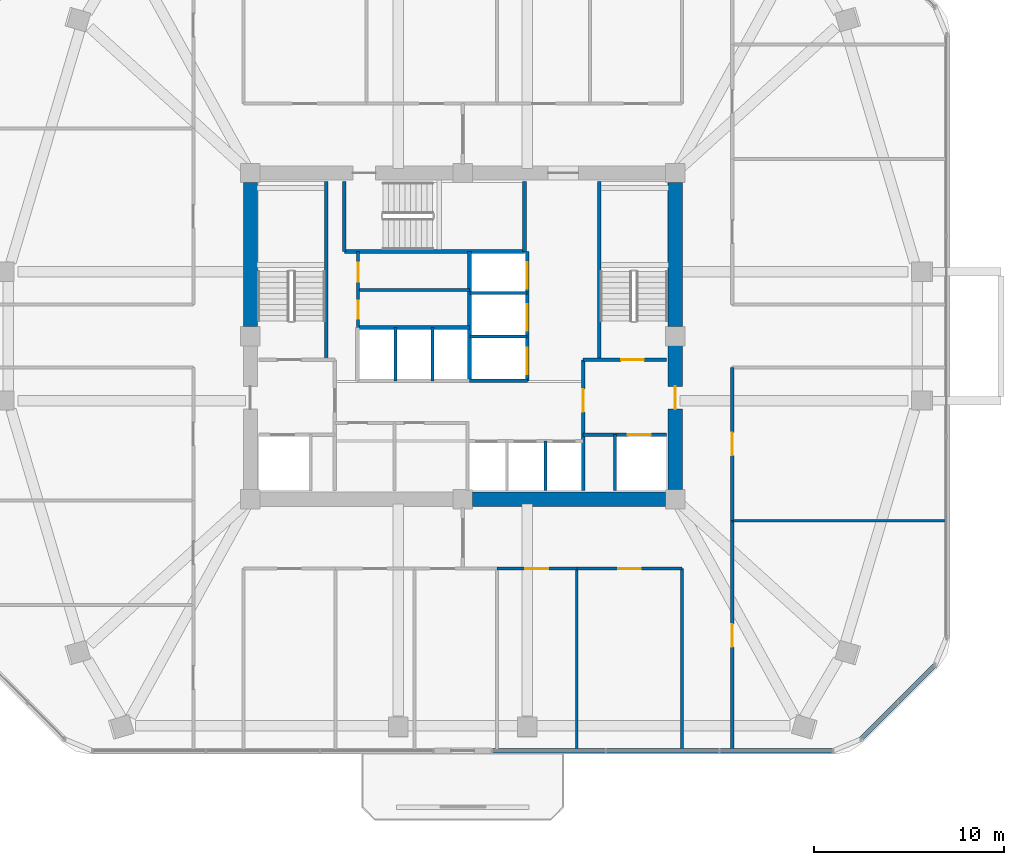
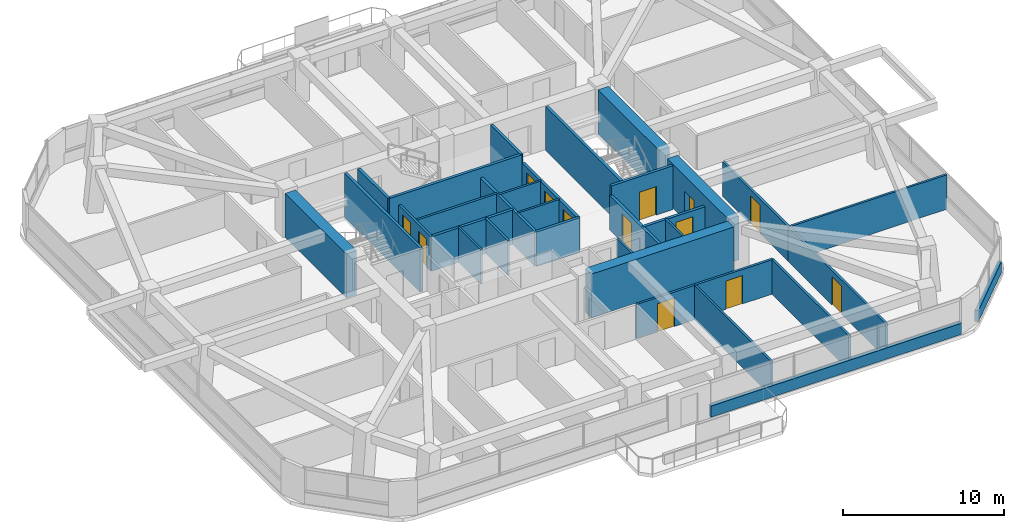
# One storey, part 9 of 13: 33 walls, 13 doors, 13 openings.
"""IFC4 building model written with IfcOpenShell, lengths in metres."""

import ifcopenshell
import ifcopenshell.guid

model = None  # the IFC model being written
_history = None  # IfcOwnerHistory: only IFC2X3 demands one
_inside = {}  # id of a spatial element -> (the spatial element, [elements in it])
_under = {}  # id of a project, library or spatial element -> (it, [spatial elements below it])
_declared = {}  # id of a project -> (the project, [libraries it declares])
_typed = {}  # id of a type object -> (the type object, [elements of that type])
_made_of = {}  # id of a material, layer set ... -> (it, [elements and type objects made of it])


def new_model(schema):
    """Start an empty IFC model of exactly this schema.

    Asked for "IFC4X3", IfcOpenShell would pick the latest addendum, in which some entities
    have other attributes; the version numbers below select the first issue.
    IFC2X3 requires an IfcOwnerHistory on every rooted entity: one is made here for all.
    """
    global model, _history
    if schema == "IFC4X3":
        model = ifcopenshell.file(schema_version=(4, 3, 0, 0))
    else:
        model = ifcopenshell.file(schema=schema)
    _inside.clear()
    _under.clear()
    _declared.clear()
    _typed.clear()
    _made_of.clear()
    _history = None
    if model.schema == "IFC2X3":
        org = make("IfcOrganization", Name="unknown")
        user = make(
            "IfcPersonAndOrganization",
            ThePerson=make("IfcPerson", FamilyName="unknown"),
            TheOrganization=org,
        )
        app = make(
            "IfcApplication",
            ApplicationDeveloper=org,
            Version="unknown",
            ApplicationFullName="unknown",
            ApplicationIdentifier="unknown",
        )
        _history = make(
            "IfcOwnerHistory",
            OwningUser=user,
            OwningApplication=app,
            ChangeAction="ADDED",
            CreationDate=0,
        )
    return model


def make(cls, **values):
    """One entity of the class cls with the attributes given. An attribute that is None is left unset."""
    return model.create_entity(
        cls, **{name: value for name, value in values.items() if value is not None}
    )


def rooted(cls, **values):
    """An entity with a GlobalId (a new one), such as an element, a storey or a relation."""
    return make(cls, GlobalId=ifcopenshell.guid.new(), OwnerHistory=_history, **values)


def si_unit(unit_type, name, prefix=None):
    """IfcSIUnit, for example si_unit("LENGTHUNIT", "METRE", prefix="MILLI")."""
    return make("IfcSIUnit", UnitType=unit_type, Prefix=prefix, Name=name)


def derived_unit(unit_type, elements):
    """IfcDerivedUnit: a product of units, each with its exponent."""
    return make(
        "IfcDerivedUnit",
        Elements=[
            make("IfcDerivedUnitElement", Unit=unit, Exponent=power)
            for unit, power in elements
        ],
        UnitType=unit_type,
    )


def assignment(units):
    """IfcUnitAssignment: the units of a project."""
    return None if units is None else make("IfcUnitAssignment", Units=units)


def point(xyz):
    """IfcCartesianPoint."""
    return None if xyz is None else make("IfcCartesianPoint", Coordinates=xyz)


def direction(xyz):
    """IfcDirection."""
    return None if xyz is None else make("IfcDirection", DirectionRatios=xyz)


def frame(location, z_axis=None, x_axis=None):
    """IfcAxis2Placement3D, a coordinate frame: its origin and axes. An axis left out is left unset."""
    return make(
        "IfcAxis2Placement3D",
        Location=point(location),
        Axis=direction(z_axis),
        RefDirection=direction(x_axis),
    )


def frame_2d(location, x_axis=None):
    """IfcAxis2Placement2D, a coordinate frame in the plane: its origin and x axis."""
    return make(
        "IfcAxis2Placement2D", Location=point(location), RefDirection=direction(x_axis)
    )


def origin():
    """The frame at (0, 0, 0) with its axes left unset."""
    return frame((0.0, 0.0, 0.0))


def place(relative_to, where):
    """IfcLocalPlacement: puts the frame where relative to a parent placement (None: the world)."""
    return make(
        "IfcLocalPlacement", PlacementRelTo=relative_to, RelativePlacement=where
    )


def context(
    kind, dimensions, precision=None, world=None, true_north=None, identifier=None
):
    """IfcGeometricRepresentationContext, for example the 3D "Model" context."""
    return make(
        "IfcGeometricRepresentationContext",
        ContextIdentifier=identifier,
        ContextType=kind,
        CoordinateSpaceDimension=dimensions,
        Precision=precision,
        WorldCoordinateSystem=world,
        TrueNorth=true_north,
    )


def subcontext(parent, identifier, kind, view, scale=None):
    """IfcGeometricRepresentationSubContext, for example "Body" below "Model"."""
    return make(
        "IfcGeometricRepresentationSubContext",
        ContextIdentifier=identifier,
        ContextType=kind,
        ParentContext=parent,
        TargetScale=scale,
        TargetView=view,
    )


def project(units=None, contexts=None):
    """IfcProject with its units and contexts."""
    return rooted(
        "IfcProject",
        Name="project",
        RepresentationContexts=contexts,
        UnitsInContext=assignment(units),
    )


def spatial(cls, under=None, at=None, **own):
    """A site, building, storey or space (cls), placed at a placement, below another one or the project."""
    s = rooted(cls, ObjectPlacement=at, **own)
    if under is not None:
        _under.setdefault(under.id(), (under, []))[1].append(s)
    return s


def profile(cls, at=None, kind="AREA", **sizes):
    """A parametric profile (cls). Its sizes go by their IFC names, for example OverallWidth=200.0."""
    return make(cls, ProfileType=kind, Position=at, **sizes)


def rectangle(**sizes):
    """IfcRectangleProfileDef."""
    return profile("IfcRectangleProfileDef", **sizes)


def extrude(swept, where, along, depth):
    """IfcExtrudedAreaSolid: the profile swept, set in the frame where, extruded along a direction by depth."""
    return make(
        "IfcExtrudedAreaSolid",
        SweptArea=swept,
        Position=where,
        ExtrudedDirection=direction(along),
        Depth=depth,
    )


def shape(context_of_items, identifier, shape_type, items):
    """IfcShapeRepresentation: the items that make up one representation, for example the "Body"."""
    return make(
        "IfcShapeRepresentation",
        ContextOfItems=context_of_items,
        RepresentationIdentifier=identifier,
        RepresentationType=shape_type,
        Items=items,
    )


def material(Name=None, Category=None):
    """IfcMaterial."""
    return make("IfcMaterial", Name=Name, Category=Category)


def layer(
    of_material, thickness, ventilated=None, Name=None, Category=None, Priority=None
):
    """IfcMaterialLayer: one layer of a wall or slab, of a material (None: an air gap)."""
    return make(
        "IfcMaterialLayer",
        Material=of_material,
        LayerThickness=thickness,
        IsVentilated=ventilated,
        Name=Name,
        Category=Category,
        Priority=Priority,
    )


def layer_set(layers, Name=None):
    """IfcMaterialLayerSet."""
    return make("IfcMaterialLayerSet", MaterialLayers=layers, LayerSetName=Name)


def made_of(thing, what):
    """Note that an element or type object is made of a material, layer set ...; save() writes the relation."""
    if what is not None:
        _made_of.setdefault(what.id(), (what, []))[1].append(thing)
    return thing


def type_object(cls, material=None, **own):
    """A type object (cls), such as IfcWallType, which elements share."""
    return made_of(rooted(cls, **own), material)


def element(
    cls,
    number,
    at=None,
    inside=None,
    cuts=None,
    type_object=None,
    material=None,
    context=None,
    identifier="Body",
    shape_type=None,
    held_by="IfcProductDefinitionShape",
    body=None,
    shapes=None,
    **own,
):
    """One element of the class cls, such as IfcWall. Its Tag is "e" and its number.

    at: its placement. inside: the storey or other place that contains it. cuts: it is an
    opening in that element (IfcRelVoidsElement). A single representation is given by context,
    identifier, shape_type and body (its items); several are given by shapes. held_by: the class
    of the entity that holds the representations. save() writes the other relations.
    """
    e = rooted(cls, Tag="e%d" % number, ObjectPlacement=at, **own)
    if body is not None:
        shapes = [shape(context, identifier, shape_type, body)]
    if shapes is not None:
        e.Representation = make(held_by, Representations=shapes)
    if inside is not None:
        _inside.setdefault(inside.id(), (inside, []))[1].append(e)
    if cuts is not None:
        rooted(
            "IfcRelVoidsElement", RelatingBuildingElement=cuts, RelatedOpeningElement=e
        )
    if type_object is not None:
        _typed.setdefault(type_object.id(), (type_object, []))[1].append(e)
    return made_of(e, material)


def fill(opening, filler):
    """IfcRelFillsElement: the door or window that sits in an opening."""
    return rooted(
        "IfcRelFillsElement",
        RelatingOpeningElement=opening,
        RelatedBuildingElement=filler,
    )


def aggregate(whole, parts):
    """IfcRelAggregates: a whole, such as a stair, and the parts it consists of."""
    return rooted("IfcRelAggregates", RelatingObject=whole, RelatedObjects=parts)


def save(model, path):
    """Write the relations noted so far, then the file.

    IfcRelAggregates (storeys below a building ...), IfcRelContainedInSpatialStructure (elements
    in a storey), IfcRelDefinesByType, IfcRelAssociatesMaterial and IfcRelDeclares: one each for
    every whole, place, type object, material and project.
    """
    for whole, parts in _under.values():
        aggregate(whole, parts)
    for where, things in _inside.values():
        rooted(
            "IfcRelContainedInSpatialStructure",
            RelatedElements=things,
            RelatingStructure=where,
        )
    for kind, things in _typed.values():
        rooted("IfcRelDefinesByType", RelatedObjects=things, RelatingType=kind)
    for what, things in _made_of.values():
        rooted("IfcRelAssociatesMaterial", RelatedObjects=things, RelatingMaterial=what)
    for by, libraries in _declared.values():
        rooted("IfcRelDeclares", RelatingContext=by, RelatedDefinitions=libraries)
    model.write(path)


model = new_model("IFC4")

# Units and contexts
model_context = context("Model", 3, precision=1e-05, world=origin(), true_north=direction((0.0, 1.0)))
body_context = subcontext(model_context, "Body", "Model", "MODEL_VIEW")
ifc_project = project(units=[si_unit("LENGTHUNIT", "METRE"), si_unit("AREAUNIT", "SQUARE_METRE"), si_unit("VOLUMEUNIT", "CUBIC_METRE"), si_unit("PLANEANGLEUNIT", "RADIAN"), si_unit("MASSUNIT", "GRAM", prefix="KILO"), derived_unit("THERMALTRANSMITTANCEUNIT", [(si_unit("POWERUNIT", "WATT"), 1), (si_unit("LENGTHUNIT", "METRE"), -2), (si_unit("THERMODYNAMICTEMPERATUREUNIT", "KELVIN"), -1)])], contexts=[model_context])

# Site, building, storey
site_placement = place(None, origin())
site = spatial("IfcSite", under=ifc_project, at=site_placement, CompositionType="ELEMENT")
building_placement = place(site_placement, origin())
building = spatial("IfcBuilding", under=site, at=building_placement, Name="Koralith Skygarden Medical Center", CompositionType="ELEMENT")
storey_placement = place(building_placement, frame((0.0, 0.0, 102.780029296875)))
storey = spatial("IfcBuildingStorey", under=building, at=storey_placement, Name="L26", CompositionType="ELEMENT", Elevation=102.780029296875)

# Walls
ifc_material_1 = material(Name="Gypsum Board Partition")
ifc_layer_1 = layer(ifc_material_1, 0.14990234375)
ifc_layer_set_1 = layer_set([ifc_layer_1], Name="Gypsum Board Partition")
wall_type_1 = type_object("IfcWallType", Name="Clinical Acoustic Partition 150", PredefinedType="PARTITIONING", material=ifc_layer_set_1)
wall_1_placement = place(storey_placement, frame((43.010986328125, 13.639892578125, 0.0), z_axis=(0.0, 0.0, 1.0), x_axis=(0.0, -1.0, 0.0)))
element("IfcWall", 1, at=wall_1_placement, inside=storey, type_object=wall_type_1, Name="L26 Clinical Acoustic Partition 150 W-PART-L26-S-04", PredefinedType="PARTITIONING", context=body_context, shape_type="SweptSolid", body=[
    extrude(rectangle(XDim=9.5859375, YDim=0.14990234375, at=frame_2d((4.79296875, 0.0))), origin(), (0.0, 0.0, 1.0), 2.60986328125),
])
wall_2_placement = place(storey_placement, frame((51.2099609375, 16.166015625, 0.0), z_axis=(0.0, 0.0, 1.0), x_axis=(1.0, 0.0, 0.0)))
element("IfcWall", 2, at=wall_2_placement, inside=storey, type_object=wall_type_1, Name="L26 Clinical Acoustic Partition 150 W-PART-L26-ES-01", PredefinedType="PARTITIONING", context=body_context, shape_type="SweptSolid", body=[
    extrude(rectangle(XDim=11.281005859375, YDim=0.14990234375, at=frame_2d((5.640625, 0.0))), origin(), (0.0, 0.0, 1.0), 2.60986328125),
])
ifc_layer_2 = layer(ifc_material_1, 0.1650390625)
ifc_layer_set_2 = layer_set([ifc_layer_2], Name="Gypsum Board Partition")
wall_type_2 = type_object("IfcWallType", Name="Clinical Corridor Partition 165", PredefinedType="PARTITIONING", material=ifc_layer_set_2)
wall_3_placement = place(storey_placement, frame((48.570068359375, 4.053955078125, 0.0), z_axis=(0.0, 0.0, 1.0), x_axis=(0.0, 1.0, 0.0)))
element("IfcWall", 3, at=wall_3_placement, inside=storey, type_object=wall_type_2, Name="L26 Clinical Corridor Partition 165 W-HCOR-L26-SE", PredefinedType="PARTITIONING", context=body_context, shape_type="SweptSolid", body=[
    extrude(rectangle(XDim=9.5859375, YDim=0.1650390625, at=frame_2d((4.79296875, 0.0))), origin(), (0.0, 0.0, 1.0), 2.60986328125),
])

# Wall, opening, door
wall_4_placement = place(storey_placement, frame((38.800048828125, 13.639892578125, 0.0), z_axis=(0.0, 0.0, 1.0), x_axis=(1.0, 0.0, 0.0)))
wall_4 = element("IfcWall", 4, at=wall_4_placement, inside=storey, type_object=wall_type_2, Name="L26 Clinical Corridor Partition 165 W-CORR-L26-S-04", PredefinedType="PARTITIONING", context=body_context, shape_type="SweptSolid", body=[
    extrude(rectangle(XDim=4.2109375, YDim=0.1650390625, at=frame_2d((2.10546875, 0.0))), origin(), (0.0, 0.0, 1.0), 2.60986328125),
])
opening_1_placement = place(wall_4_placement, frame((1.506103515625, 0.0, 0.0)))
opening_1 = element("IfcOpeningElement", 5, at=opening_1_placement, cuts=wall_4, Name="Opening D-CLN", PredefinedType="OPENING", context=body_context, shape_type="SweptSolid", body=[
    extrude(rectangle(XDim=1.199951171875, YDim=2.14990234375, at=frame_2d((0.60009765625, 1.074951171875))), frame((0.0, 0.092529296875, 0.0), z_axis=(0.0, -1.0, 0.0), x_axis=(1.0, 0.0, 0.0)), (0.0, 0.0, 1.0), 0.18505859375),
])
ifc_material_2 = material(Name="Aluminium 6063-T6", Category="aluminium")
door_type_1 = type_object("IfcDoorType", Name="Clinical Corridor Door D-CLN 1200", OperationType="NOTDEFINED", PredefinedType="DOOR", material=ifc_material_2)
door_1_placement = place(opening_1_placement, frame((1.199951171875, 0.0, 0.0), z_axis=(0.0, 0.0, 1.0), x_axis=(-1.0, 0.0, 0.0)))
door_1 = element("IfcDoor", 6, at=door_1_placement, inside=storey, type_object=door_type_1, Name="L26 Bereavement Sitting Room 08 Door", OperationType="SINGLE_SWING_LEFT", OverallHeight=2.14990234375, OverallWidth=1.199951171875, PredefinedType="DOOR", context=body_context, shape_type="SweptSolid", body=[
    extrude(rectangle(XDim=1.199951171875, YDim=2.14990234375, at=frame_2d((0.60009765625, 1.074951171875))), frame((0.0, 0.02490234375, 0.0), z_axis=(0.0, -1.0, 0.0), x_axis=(1.0, 0.0, 0.0)), (0.0, 0.0, 1.0), 0.050048828125),
])
fill(opening_1, door_1)

wall_5_placement = place(storey_placement, frame((43.010986328125, 13.639892578125, 0.0), z_axis=(0.0, 0.0, 1.0), x_axis=(1.0, 0.0, 0.0)))
wall_5 = element("IfcWall", 7, at=wall_5_placement, inside=storey, type_object=wall_type_2, Name="L26 Clinical Corridor Partition 165 W-CORR-L26-S-05", PredefinedType="PARTITIONING", context=body_context, shape_type="SweptSolid", body=[
    extrude(rectangle(XDim=5.55908203125, YDim=0.1650390625, at=frame_2d((2.779541015625, 0.0))), origin(), (0.0, 0.0, 1.0), 2.60986328125),
])
opening_2_placement = place(wall_5_placement, frame((2.178955078125, 0.0, 0.0)))
opening_2 = element("IfcOpeningElement", 8, at=opening_2_placement, cuts=wall_5, Name="Opening D-CLN", PredefinedType="OPENING", context=body_context, shape_type="SweptSolid", body=[
    extrude(rectangle(XDim=1.199951171875, YDim=2.14990234375, at=frame_2d((0.60009765625, 1.074951171875))), frame((0.0, 0.092529296875, 0.0), z_axis=(0.0, -1.0, 0.0), x_axis=(1.0, 0.0, 0.0)), (0.0, 0.0, 1.0), 0.18505859375),
])
door_2_placement = place(opening_2_placement, frame((1.199951171875, 0.0, 0.0), z_axis=(0.0, 0.0, 1.0), x_axis=(-1.0, 0.0, 0.0)))
door_2 = element("IfcDoor", 9, at=door_2_placement, inside=storey, type_object=door_type_1, Name="L26 Family Nourishment Pantry 09 Door", OperationType="SINGLE_SWING_RIGHT", OverallHeight=2.14990234375, OverallWidth=1.199951171875, PredefinedType="DOOR", context=body_context, shape_type="SweptSolid", body=[
    extrude(rectangle(XDim=1.199951171875, YDim=2.14990234375, at=frame_2d((0.60009765625, 1.074951171875))), frame((0.0, 0.02490234375, 0.0), z_axis=(0.0, -1.0, 0.0), x_axis=(1.0, 0.0, 0.0)), (0.0, 0.0, 1.0), 0.050048828125),
])
fill(opening_2, door_2)

wall_6_placement = place(storey_placement, frame((51.2099609375, 4.053955078125, 0.0), z_axis=(0.0, 0.0, 1.0), x_axis=(0.0, 1.0, 0.0)))
wall_6 = element("IfcWall", 10, at=wall_6_placement, inside=storey, type_object=wall_type_2, Name="L26 Clinical Corridor Partition 165 W-CORR-L26-ES-01", PredefinedType="PARTITIONING", context=body_context, shape_type="SweptSolid", body=[
    extrude(rectangle(XDim=12.112060546875, YDim=0.1650390625, at=frame_2d((6.05615234375, 0.0))), origin(), (0.0, 0.0, 1.0), 2.60986328125),
])
opening_3_placement = place(wall_6_placement, frame((5.4560546875, 0.0, 0.0)))
opening_3 = element("IfcOpeningElement", 11, at=opening_3_placement, cuts=wall_6, Name="Opening D-CLN", PredefinedType="OPENING", context=body_context, shape_type="SweptSolid", body=[
    extrude(rectangle(XDim=1.199951171875, YDim=2.14990234375, at=frame_2d((0.60009765625, 1.074951171875))), frame((0.0, 0.092529296875, 0.0), z_axis=(0.0, -1.0, 0.0), x_axis=(1.0, 0.0, 0.0)), (0.0, 0.0, 1.0), 0.18505859375),
])
door_3_placement = place(opening_3_placement, origin())
door_3 = element("IfcDoor", 12, at=door_3_placement, inside=storey, type_object=door_type_1, Name="L26 Palliative Quiet Family Lounge 15 Door", OperationType="SINGLE_SWING_RIGHT", OverallHeight=2.14990234375, OverallWidth=1.199951171875, PredefinedType="DOOR", context=body_context, shape_type="SweptSolid", body=[
    extrude(rectangle(XDim=1.199951171875, YDim=2.14990234375, at=frame_2d((0.60009765625, 1.074951171875))), frame((0.0, 0.02490234375, 0.0), z_axis=(0.0, -1.0, 0.0), x_axis=(1.0, 0.0, 0.0)), (0.0, 0.0, 1.0), 0.050048828125),
])
fill(opening_3, door_3)

wall_7_placement = place(storey_placement, frame((51.2099609375, 16.166015625, 0.0), z_axis=(0.0, 0.0, 1.0), x_axis=(0.0, 1.0, 0.0)))
wall_7 = element("IfcWall", 13, at=wall_7_placement, inside=storey, type_object=wall_type_2, Name="L26 Clinical Corridor Partition 165 W-CORR-L26-ES-02", PredefinedType="PARTITIONING", context=body_context, shape_type="SweptSolid", body=[
    extrude(rectangle(XDim=8.073974609375, YDim=0.1650390625, at=frame_2d((4.037109375, 0.0))), origin(), (0.0, 0.0, 1.0), 2.60986328125),
])
opening_4_placement = place(wall_7_placement, frame((3.43701171875, 0.0, 0.0)))
opening_4 = element("IfcOpeningElement", 14, at=opening_4_placement, cuts=wall_7, Name="Opening D-CLN", PredefinedType="OPENING", context=body_context, shape_type="SweptSolid", body=[
    extrude(rectangle(XDim=1.199951171875, YDim=2.14990234375, at=frame_2d((0.60009765625, 1.074951171875))), frame((0.0, 0.092529296875, 0.0), z_axis=(0.0, -1.0, 0.0), x_axis=(1.0, 0.0, 0.0)), (0.0, 0.0, 1.0), 0.18505859375),
])
door_4_placement = place(opening_4_placement, origin())
door_4 = element("IfcDoor", 15, at=door_4_placement, inside=storey, type_object=door_type_1, Name="L26 Bereavement Sitting Room 16 Door", OperationType="SINGLE_SWING_LEFT", OverallHeight=2.14990234375, OverallWidth=1.199951171875, PredefinedType="DOOR", context=body_context, shape_type="SweptSolid", body=[
    extrude(rectangle(XDim=1.199951171875, YDim=2.14990234375, at=frame_2d((0.60009765625, 1.074951171875))), frame((0.0, 0.02490234375, 0.0), z_axis=(0.0, -1.0, 0.0), x_axis=(1.0, 0.0, 0.0)), (0.0, 0.0, 1.0), 0.050048828125),
])
fill(opening_4, door_4)

ifc_layer_3 = layer(ifc_material_1, 0.199951171875)
ifc_layer_set_3 = layer_set([ifc_layer_3], Name="Gypsum Board Partition")
wall_type_3 = type_object("IfcWallType", Name="Fire Shaft Wall 200", PredefinedType="SOLIDWALL", material=ifc_layer_set_3)
wall_8_placement = place(storey_placement, frame((43.35009765625, 20.699951171875, 0.0), z_axis=(0.0, 0.0, 1.0), x_axis=(1.0, 0.0, 0.0)))
wall_8 = element("IfcWall", 16, at=wall_8_placement, inside=storey, type_object=wall_type_3, Name="L26 Fire Shaft Wall 200 W-CORE-L26-FF2-N", PredefinedType="SOLIDWALL", context=body_context, shape_type="SweptSolid", body=[
    extrude(rectangle(XDim=4.39990234375, YDim=0.199951171875, at=frame_2d((2.199951171875, 0.0))), origin(), (0.0, 0.0, 1.0), 2.60986328125),
])
opening_5_placement = place(wall_8_placement, frame((2.35009765625, 0.0, 0.0)))
opening_5 = element("IfcOpeningElement", 17, at=opening_5_placement, cuts=wall_8, Name="Opening LD-FF", PredefinedType="OPENING", context=body_context, shape_type="SweptSolid", body=[
    extrude(rectangle(XDim=1.199951171875, YDim=2.14990234375, at=frame_2d((0.60009765625, 1.074951171875))), frame((0.0, 0.10986328125, 0.0), z_axis=(0.0, -1.0, 0.0), x_axis=(1.0, 0.0, 0.0)), (0.0, 0.0, 1.0), 0.219970703125),
])
ifc_material_3 = material(Name="Steel ASTM A500 Grade C", Category="steel")
door_type_2 = type_object("IfcDoorType", Name="Fire Lift Sliding Landing Door LD-FF 1200", OperationType="NOTDEFINED", PredefinedType="DOOR", material=ifc_material_3)
door_5_placement = place(opening_5_placement, origin())
door_5 = element("IfcDoor", 18, at=door_5_placement, inside=storey, type_object=door_type_2, Name="L26 Fire Service Elevator FF2 Landing Door", OperationType="SLIDING_TO_RIGHT", OverallHeight=2.14990234375, OverallWidth=1.199951171875, PredefinedType="DOOR", context=body_context, shape_type="SweptSolid", body=[
    extrude(rectangle(XDim=1.199951171875, YDim=2.14990234375, at=frame_2d((0.60009765625, 1.074951171875))), frame((0.0, 0.02490234375, 0.0), z_axis=(0.0, -1.0, 0.0), x_axis=(1.0, 0.0, 0.0)), (0.0, 0.0, 1.0), 0.050048828125),
])
fill(opening_5, door_5)

wall_9_placement = place(storey_placement, frame((43.35009765625, 17.75, 0.0), z_axis=(0.0, 0.0, 1.0), x_axis=(0.0, 1.0, 0.0)))
wall_9 = element("IfcWall", 19, at=wall_9_placement, inside=storey, type_object=wall_type_3, Name="L26 Fire Shaft Wall 200 W-CORE-L26-FSAEE-W", PredefinedType="SOLIDWALL", context=body_context, shape_type="SweptSolid", body=[
    extrude(rectangle(XDim=6.89990234375, YDim=0.199951171875, at=frame_2d((3.449951171875, 0.0))), origin(), (0.0, 0.0, 1.0), 2.60986328125),
])
opening_6_placement = place(wall_9_placement, frame((4.14990234375, 0.0, 0.0)))
opening_6 = element("IfcOpeningElement", 20, at=opening_6_placement, cuts=wall_9, Name="Opening D-ST60", PredefinedType="OPENING", context=body_context, shape_type="SweptSolid", body=[
    extrude(rectangle(XDim=1.199951171875, YDim=2.14990234375, at=frame_2d((0.60009765625, 1.074951171875))), frame((0.0, 0.10986328125, 0.0), z_axis=(0.0, -1.0, 0.0), x_axis=(1.0, 0.0, 0.0)), (0.0, 0.0, 1.0), 0.219970703125),
])
door_type_3 = type_object("IfcDoorType", Name="Smokeproof Stair Fire Door FD60S 1200", OperationType="NOTDEFINED", PredefinedType="DOOR", material=ifc_material_3)
door_6_placement = place(opening_6_placement, frame((1.199951171875, 0.0, 0.0), z_axis=(0.0, 0.0, 1.0), x_axis=(-1.0, 0.0, 0.0)))
door_6 = element("IfcDoor", 21, at=door_6_placement, inside=storey, type_object=door_type_3, Name="L26 East Firefighting Lobby Inner Fire Door", OperationType="SINGLE_SWING_RIGHT", OverallHeight=2.14990234375, OverallWidth=1.199951171875, PredefinedType="DOOR", context=body_context, shape_type="SweptSolid", body=[
    extrude(rectangle(XDim=1.199951171875, YDim=2.14990234375, at=frame_2d((0.60009765625, 1.074951171875))), frame((0.0, 0.02490234375, 0.0), z_axis=(0.0, -1.0, 0.0), x_axis=(1.0, 0.0, 0.0)), (0.0, 0.0, 1.0), 0.050048828125),
])
fill(opening_6, door_6)

# Walls
wall_10_placement = place(storey_placement, frame((31.449951171875, 26.35009765625, 0.0), z_axis=(0.0, 0.0, 1.0), x_axis=(1.0, 0.0, 0.0)))
element("IfcWall", 22, at=wall_10_placement, inside=storey, type_object=wall_type_3, Name="L26 Fire Shaft Wall 200 W-CORE-L26-PH-N", PredefinedType="SOLIDWALL", context=body_context, shape_type="SweptSolid", body=[
    extrude(rectangle(XDim=5.900146484375, YDim=0.199951171875, at=frame_2d((2.9501953125, 0.0))), origin(), (0.0, 0.0, 1.0), 2.60986328125),
])
wall_11_placement = place(storey_placement, frame((37.35009765625, 23.5400390625, 0.0), z_axis=(0.0, 0.0, 1.0), x_axis=(0.0, 1.0, 0.0)))
element("IfcWall", 23, at=wall_11_placement, inside=storey, type_object=wall_type_3, Name="L26 Fire Shaft Wall 200 W-CORE-L26-SV-W", PredefinedType="SOLIDWALL", context=body_context, shape_type="SweptSolid", body=[
    extrude(rectangle(XDim=6.820068359375, YDim=0.199951171875, at=frame_2d((3.41015625, 0.0))), origin(), (0.0, 0.0, 1.0), 2.60986328125),
])
wall_12_placement = place(storey_placement, frame((37.35009765625, 23.5400390625, 0.0), z_axis=(0.0, 0.0, 1.0), x_axis=(1.0, 0.0, 0.0)))
element("IfcWall", 24, at=wall_12_placement, inside=storey, type_object=wall_type_3, Name="L26 Fire Shaft Wall 200 W-CORE-L26-SV-S", PredefinedType="SOLIDWALL", context=body_context, shape_type="SweptSolid", body=[
    extrude(rectangle(XDim=3.0498046875, YDim=0.199951171875, at=frame_2d((1.52490234375, 0.0))), origin(), (0.0, 0.0, 1.0), 2.60986328125),
])

# Wall, openings, doors
wall_13_placement = place(storey_placement, frame((40.39990234375, 23.5400390625, 0.0), z_axis=(0.0, 0.0, 1.0), x_axis=(0.0, 1.0, 0.0)))
wall_13 = element("IfcWall", 25, at=wall_13_placement, inside=storey, type_object=wall_type_3, Name="L26 Fire Shaft Wall 200 W-CORE-L26-SV-E", PredefinedType="SOLIDWALL", context=body_context, shape_type="SweptSolid", body=[
    extrude(rectangle(XDim=6.820068359375, YDim=0.199951171875, at=frame_2d((3.41015625, 0.0))), origin(), (0.0, 0.0, 1.0), 2.60986328125),
])
opening_7_placement = place(wall_13_placement, frame((0.35009765625, 0.0, 0.0)))
opening_7 = element("IfcOpeningElement", 26, at=opening_7_placement, cuts=wall_13, Name="Opening LD-SV", PredefinedType="OPENING", context=body_context, shape_type="SweptSolid", body=[
    extrude(rectangle(XDim=1.39990234375, YDim=2.199951171875, at=frame_2d((0.699951171875, 1.10009765625))), frame((0.0, 0.10986328125, 0.0), z_axis=(0.0, -1.0, 0.0), x_axis=(1.0, 0.0, 0.0)), (0.0, 0.0, 1.0), 0.219970703125),
])
opening_8_placement = place(wall_13_placement, frame((2.64990234375, 0.0, 0.0)))
opening_8 = element("IfcOpeningElement", 27, at=opening_8_placement, cuts=wall_13, Name="Opening LD-SV", PredefinedType="OPENING", context=body_context, shape_type="SweptSolid", body=[
    extrude(rectangle(XDim=1.39990234375, YDim=2.199951171875, at=frame_2d((0.699951171875, 1.10009765625))), frame((0.0, 0.10986328125, 0.0), z_axis=(0.0, -1.0, 0.0), x_axis=(1.0, 0.0, 0.0)), (0.0, 0.0, 1.0), 0.219970703125),
])
opening_9_placement = place(wall_13_placement, frame((4.85009765625, 0.0, 0.0)))
opening_9 = element("IfcOpeningElement", 28, at=opening_9_placement, cuts=wall_13, Name="Opening LD-SV", PredefinedType="OPENING", context=body_context, shape_type="SweptSolid", body=[
    extrude(rectangle(XDim=1.39990234375, YDim=2.199951171875, at=frame_2d((0.699951171875, 1.10009765625))), frame((0.0, 0.10986328125, 0.0), z_axis=(0.0, -1.0, 0.0), x_axis=(1.0, 0.0, 0.0)), (0.0, 0.0, 1.0), 0.219970703125),
])
door_type_4 = type_object("IfcDoorType", Name="Bed Lift Sliding Landing Door LD-SV 1400", OperationType="NOTDEFINED", PredefinedType="DOOR", material=ifc_material_3)
door_7_placement = place(opening_7_placement, origin())
door_7 = element("IfcDoor", 29, at=door_7_placement, inside=storey, type_object=door_type_4, Name="L26 Bed Elevator BD1 Landing Door", OperationType="SLIDING_TO_LEFT", OverallHeight=2.199951171875, OverallWidth=1.39990234375, PredefinedType="DOOR", context=body_context, shape_type="SweptSolid", body=[
    extrude(rectangle(XDim=1.39990234375, YDim=2.199951171875, at=frame_2d((0.699951171875, 1.10009765625))), frame((0.0, 0.02490234375, 0.0), z_axis=(0.0, -1.0, 0.0), x_axis=(1.0, 0.0, 0.0)), (0.0, 0.0, 1.0), 0.050048828125),
])
fill(opening_7, door_7)
door_8_placement = place(opening_8_placement, origin())
door_8 = element("IfcDoor", 30, at=door_8_placement, inside=storey, type_object=door_type_4, Name="L26 Service Elevator BD2 Landing Door", OperationType="SLIDING_TO_LEFT", OverallHeight=2.199951171875, OverallWidth=1.39990234375, PredefinedType="DOOR", context=body_context, shape_type="SweptSolid", body=[
    extrude(rectangle(XDim=1.39990234375, YDim=2.199951171875, at=frame_2d((0.699951171875, 1.10009765625))), frame((0.0, 0.02490234375, 0.0), z_axis=(0.0, -1.0, 0.0), x_axis=(1.0, 0.0, 0.0)), (0.0, 0.0, 1.0), 0.050048828125),
])
fill(opening_8, door_8)
door_9_placement = place(opening_9_placement, origin())
door_9 = element("IfcDoor", 31, at=door_9_placement, inside=storey, type_object=door_type_4, Name="L26 Trauma Elevator TR1 Landing Door", OperationType="SLIDING_TO_RIGHT", OverallHeight=2.199951171875, OverallWidth=1.39990234375, PredefinedType="DOOR", context=body_context, shape_type="SweptSolid", body=[
    extrude(rectangle(XDim=1.39990234375, YDim=2.199951171875, at=frame_2d((0.699951171875, 1.10009765625))), frame((0.0, 0.02490234375, 0.0), z_axis=(0.0, -1.0, 0.0), x_axis=(1.0, 0.0, 0.0)), (0.0, 0.0, 1.0), 0.050048828125),
])
fill(opening_9, door_9)

# Walls
ifc_material_4 = material(Name="Warm Oolitic Limestone Cladding", Category="masonry")
ifc_layer_4 = layer(ifc_material_4, 0.239990234375)
ifc_layer_set_4 = layer_set([ifc_layer_4], Name="Warm Oolitic Limestone Cladding")
wall_type_4 = type_object("IfcWallType", Name="Limestone Spandrel Sill Backup Wall 240", PredefinedType="SOLIDWALL", material=ifc_layer_set_4)
wall_14_placement = place(storey_placement, frame((38.5390625, 4.033935546875, 0.0), z_axis=(0.0, 0.0, 1.0), x_axis=(1.0, 0.0, 0.0)))
element("IfcWall", 32, at=wall_14_placement, inside=storey, type_object=wall_type_4, Name="L26 Sill Spandrel S-R", PredefinedType="SOLIDWALL", context=body_context, shape_type="SweptSolid", body=[
    extrude(rectangle(XDim=17.996826171875, YDim=0.239990234375, at=frame_2d((8.99853515625, 0.0))), origin(), (0.0, 0.0, 1.0), 0.849853515625),
])
wall_15_placement = place(storey_placement, frame((57.987060546875, 4.635009765625, 0.0), z_axis=(0.0, 0.0, 1.0), x_axis=(0.707084777957, 0.707128783731, 0.0)))
element("IfcWall", 33, at=wall_15_placement, inside=storey, type_object=wall_type_4, Name="L26 Sill Spandrel SE", PredefinedType="SOLIDWALL", context=body_context, shape_type="SweptSolid", body=[
    extrude(rectangle(XDim=5.5478515625, YDim=0.239990234375, at=frame_2d((2.77392578125, 0.0))), origin(), (0.0, 0.0, 1.0), 0.849853515625),
])
ifc_material_5 = material(Name="Concrete C70/85", Category="concrete")
ifc_layer_5 = layer(ifc_material_5, 0.75)
ifc_layer_set_5 = layer_set([ifc_layer_5], Name="Concrete C70/85")
wall_type_5 = type_object("IfcWallType", Name="Mid Core Shear Wall 750", PredefinedType="SHEAR", material=ifc_layer_set_5)
wall_16_placement = place(storey_placement, frame((37.5048828125, 17.300048828125, 0.0), z_axis=(0.0, 0.0, 1.0), x_axis=(1.0, 0.0, 0.0)))
element("IfcWall", 34, at=wall_16_placement, inside=storey, type_object=wall_type_5, Name="L26 Core Shear Wall Segment 2", PredefinedType="SHEAR", context=body_context, shape_type="SweptSolid", body=[
    extrude(rectangle(XDim=10.190185546875, YDim=0.75, at=frame_2d((5.09521484375, 0.0))), origin(), (0.0, 0.0, 1.0), 3.320068359375),
])

# Wall, opening, door
wall_17_placement = place(storey_placement, frame((48.199951171875, 17.804931640625, 0.0), z_axis=(0.0, 0.0, 1.0), x_axis=(0.0, 1.0, 0.0)))
wall_17 = element("IfcWall", 35, at=wall_17_placement, inside=storey, type_object=wall_type_5, Name="L26 Core Shear Wall Segment 3", PredefinedType="SHEAR", context=body_context, shape_type="SweptSolid", body=[
    extrude(rectangle(XDim=7.590087890625, YDim=0.75, at=frame_2d((3.794921875, 0.0))), origin(), (0.0, 0.0, 1.0), 3.320068359375),
])
opening_10_placement = place(wall_17_placement, frame((4.2451171875, 0.0, 0.0)))
opening_10 = element("IfcOpeningElement", 36, at=opening_10_placement, cuts=wall_17, Name="Opening D-ST60", PredefinedType="OPENING", context=body_context, shape_type="SweptSolid", body=[
    extrude(rectangle(XDim=1.199951171875, YDim=2.14990234375, at=frame_2d((0.60009765625, 1.074951171875))), frame((0.0, 0.385009765625, 0.0), z_axis=(0.0, -1.0, 0.0), x_axis=(1.0, 0.0, 0.0)), (0.0, 0.0, 1.0), 0.77001953125),
])
door_10_placement = place(opening_10_placement, frame((1.199951171875, 0.0, 0.0), z_axis=(0.0, 0.0, 1.0), x_axis=(-1.0, 0.0, 0.0)))
door_10 = element("IfcDoor", 37, at=door_10_placement, inside=storey, type_object=door_type_3, Name="L26 East Corridor to Firefighting Lobby Door", OperationType="SINGLE_SWING_RIGHT", OverallHeight=2.14990234375, OverallWidth=1.199951171875, PredefinedType="DOOR", context=body_context, shape_type="SweptSolid", body=[
    extrude(rectangle(XDim=1.199951171875, YDim=2.14990234375, at=frame_2d((0.60009765625, 1.074951171875))), frame((0.0, 0.02490234375, 0.0), z_axis=(0.0, -1.0, 0.0), x_axis=(1.0, 0.0, 0.0)), (0.0, 0.0, 1.0), 0.050048828125),
])
fill(opening_10, door_10)

# Walls
for number, where, z_axis, x_axis, name in (
    (38, (48.199951171875, 26.405029296875, 0.0), (0.0, 0.0, 1.0), (0.0, 1.0, 0.0), "L26 Core Shear Wall Segment 4"),
    (39, (25.800048828125, 33.9951171875, 0.0), (0.0, 0.0, 1.0), (0.0, -1.0, 0.0), "L26 Core Shear Wall Segment 7"),
):
    element("IfcWall", number, at=place(storey_placement, frame(where, z_axis=z_axis, x_axis=x_axis)), inside=storey, type_object=wall_type_5, Name=name, PredefinedType="SHEAR", context=body_context, shape_type="SweptSolid", body=[
        extrude(rectangle(XDim=7.590087890625, YDim=0.75, at=frame_2d((3.794921875, 0.0))), origin(), (0.0, 0.0, 1.0), 3.320068359375),
    ])

# Wall, openings, doors
ifc_layer_6 = layer(ifc_material_1, 0.1650390625)
ifc_layer_set_6 = layer_set([ifc_layer_6], Name="Gypsum Board Partition")
wall_type_6 = type_object("IfcWallType", Name="Plumbing Wet Wall 165", PredefinedType="PLUMBINGWALL", material=ifc_layer_set_6)
wall_18_placement = place(storey_placement, frame((31.47998046875, 26.320068359375, 0.0), z_axis=(0.0, 0.0, 1.0), x_axis=(0.0, 1.0, 0.0)))
wall_18 = element("IfcWall", 40, at=wall_18_placement, inside=storey, type_object=wall_type_6, Name="L26 Plumbing Wet Wall 165 W-CORE-L26-FLEX-W", PredefinedType="PLUMBINGWALL", context=body_context, shape_type="SweptSolid", body=[
    extrude(rectangle(XDim=4.0400390625, YDim=0.1650390625, at=frame_2d((2.02001953125, 0.0))), origin(), (0.0, 0.0, 1.0), 2.60986328125),
])
opening_11_placement = place(wall_18_placement, frame((0.5, 0.0, 0.0)))
opening_11 = element("IfcOpeningElement", 41, at=opening_11_placement, cuts=wall_18, Name="Opening D-WC", PredefinedType="OPENING", context=body_context, shape_type="SweptSolid", body=[
    extrude(rectangle(XDim=0.949951171875, YDim=2.10009765625, at=frame_2d((0.47509765625, 1.050048828125))), frame((0.0, 0.092529296875, 0.0), z_axis=(0.0, -1.0, 0.0), x_axis=(1.0, 0.0, 0.0)), (0.0, 0.0, 1.0), 0.18505859375),
])
opening_12_placement = place(wall_18_placement, frame((2.449951171875, 0.0, 0.0)))
opening_12 = element("IfcOpeningElement", 42, at=opening_12_placement, cuts=wall_18, Name="Opening D-SUP", PredefinedType="OPENING", context=body_context, shape_type="SweptSolid", body=[
    extrude(rectangle(XDim=1.0, YDim=2.14990234375, at=frame_2d((0.5, 1.074951171875))), frame((0.0, 0.092529296875, 0.0), z_axis=(0.0, -1.0, 0.0), x_axis=(1.0, 0.0, 0.0)), (0.0, 0.0, 1.0), 0.18505859375),
])
door_type_5 = type_object("IfcDoorType", Name="Accessible Toilet Door D-WC 950", OperationType="NOTDEFINED", PredefinedType="DOOR", material=ifc_material_2)
door_11_placement = place(opening_11_placement, frame((0.949951171875, 0.0, 0.0), z_axis=(0.0, 0.0, 1.0), x_axis=(-1.0, 0.0, 0.0)))
door_11 = element("IfcDoor", 43, at=door_11_placement, inside=storey, type_object=door_type_5, Name="L26 Core Accessible WC Door", OperationType="SINGLE_SWING_LEFT", OverallHeight=2.10009765625, OverallWidth=0.949951171875, PredefinedType="DOOR", context=body_context, shape_type="SweptSolid", body=[
    extrude(rectangle(XDim=0.949951171875, YDim=2.10009765625, at=frame_2d((0.47509765625, 1.050048828125))), frame((0.0, 0.02490234375, 0.0), z_axis=(0.0, -1.0, 0.0), x_axis=(1.0, 0.0, 0.0)), (0.0, 0.0, 1.0), 0.050048828125),
])
fill(opening_11, door_11)
door_type_6 = type_object("IfcDoorType", Name="Clinical Support Door D-SUP 1000", OperationType="NOTDEFINED", PredefinedType="DOOR", material=ifc_material_2)
door_12_placement = place(opening_12_placement, frame((1.0, 0.0, 0.0), z_axis=(0.0, 0.0, 1.0), x_axis=(-1.0, 0.0, 0.0)))
door_12 = element("IfcDoor", 44, at=door_12_placement, inside=storey, type_object=door_type_6, Name="L26 Core Clean Utility Door", OperationType="SINGLE_SWING_RIGHT", OverallHeight=2.14990234375, OverallWidth=1.0, PredefinedType="DOOR", context=body_context, shape_type="SweptSolid", body=[
    extrude(rectangle(XDim=1.0, YDim=2.14990234375, at=frame_2d((0.5, 1.074951171875))), frame((0.0, 0.02490234375, 0.0), z_axis=(0.0, -1.0, 0.0), x_axis=(1.0, 0.0, 0.0)), (0.0, 0.0, 1.0), 0.050048828125),
])
fill(opening_12, door_12)

# Walls
wall_19_placement = place(storey_placement, frame((31.47998046875, 28.340087890625, 0.0), z_axis=(0.0, 0.0, 1.0), x_axis=(1.0, 0.0, 0.0)))
element("IfcWall", 45, at=wall_19_placement, inside=storey, type_object=wall_type_6, Name="L26 Plumbing Wet Wall 165 W-CORE-L26-FLEX-H0", PredefinedType="PLUMBINGWALL", context=body_context, shape_type="SweptSolid", body=[
    extrude(rectangle(XDim=5.8701171875, YDim=0.1650390625, at=frame_2d((2.93505859375, 0.0))), origin(), (0.0, 0.0, 1.0), 2.60986328125),
])
ifc_layer_7 = layer(ifc_material_1, 0.14990234375)
ifc_layer_set_7 = layer_set([ifc_layer_7], Name="Gypsum Board Partition")
wall_type_7 = type_object("IfcWallType", Name="Shaft Partition Wall 150", PredefinedType="PARTITIONING", material=ifc_layer_set_7)
wall_20_placement = place(storey_placement, frame((45.02001953125, 17.75, 0.0), z_axis=(0.0, 0.0, 1.0), x_axis=(0.0, 1.0, 0.0)))
element("IfcWall", 46, at=wall_20_placement, inside=storey, type_object=wall_type_7, Name="L26 Shaft Partition Wall 150 W-CORE-L26-RSRE-DIV", PredefinedType="PARTITIONING", context=body_context, shape_type="SweptSolid", body=[
    extrude(rectangle(XDim=2.949951171875, YDim=0.14990234375, at=frame_2d((1.47509765625, 0.0))), origin(), (0.0, 0.0, 1.0), 2.60986328125),
])
wall_21_placement = place(storey_placement, frame((41.3701171875, 17.75, 0.0), z_axis=(0.0, 0.0, 1.0), x_axis=(0.0, 1.0, 0.0)))
element("IfcWall", 47, at=wall_21_placement, inside=storey, type_object=wall_type_7, Name="L26 Shaft Partition Wall 150 W-CORE-L26-PM-D2", PredefinedType="PARTITIONING", context=body_context, shape_type="SweptSolid", body=[
    extrude(rectangle(XDim=2.610107421875, YDim=0.14990234375, at=frame_2d((1.30517578125, 0.0))), origin(), (0.0, 0.0, 1.0), 2.60986328125),
])
for number, where, z_axis, x_axis, name in (
    (48, (33.449951171875, 23.5400390625, 0.0), (0.0, 0.0, 1.0), (0.0, 1.0, 0.0), "L26 Shaft Partition Wall 150 W-CORE-L26-PH-D1"),
    (49, (35.39990234375, 23.5400390625, 0.0), (0.0, 0.0, 1.0), (0.0, 1.0, 0.0), "L26 Shaft Partition Wall 150 W-CORE-L26-PH-D2"),
):
    element("IfcWall", number, at=place(storey_placement, frame(where, z_axis=z_axis, x_axis=x_axis)), inside=storey, type_object=wall_type_7, Name=name, PredefinedType="PARTITIONING", context=body_context, shape_type="SweptSolid", body=[
        extrude(rectangle(XDim=2.81005859375, YDim=0.14990234375, at=frame_2d((1.405029296875, 0.0))), origin(), (0.0, 0.0, 1.0), 2.60986328125),
    ])
for number, where, z_axis, x_axis, name in (
    (50, (37.3701171875, 25.8701171875, 0.0), (0.0, 0.0, 1.0), (1.0, 0.0, 0.0), "L26 Shaft Partition Wall 150 W-CORE-L26-SV-D1"),
    (51, (37.3701171875, 28.169921875, 0.0), (0.0, 0.0, 1.0), (1.0, 0.0, 0.0), "L26 Shaft Partition Wall 150 W-CORE-L26-SV-D2"),
):
    element("IfcWall", number, at=place(storey_placement, frame(where, z_axis=z_axis, x_axis=x_axis)), inside=storey, type_object=wall_type_7, Name=name, PredefinedType="PARTITIONING", context=body_context, shape_type="SweptSolid", body=[
        extrude(rectangle(XDim=3.009765625, YDim=0.14990234375, at=frame_2d((1.5048828125, 0.0))), origin(), (0.0, 0.0, 1.0), 2.60986328125),
    ])
ifc_material_6 = material(Name="Concrete C45/55", Category="concrete")
ifc_layer_8 = layer(ifc_material_6, 0.199951171875)
ifc_layer_set_8 = layer_set([ifc_layer_8], Name="Concrete C45/55")
wall_type_8 = type_object("IfcWallType", Name="Structural Stair Shaft Wall 200", PredefinedType="SHEAR", material=ifc_layer_set_8)
for number, where, z_axis, x_axis, name in (
    (52, (29.800048828125, 24.64990234375, 0.0), (0.0, 0.0, 1.0), (0.0, 1.0, 0.0), "L26 Structural Stair Shaft Wall 200 W-CORE-L26-ST1-E"),
    (53, (44.199951171875, 24.64990234375, 0.0), (0.0, 0.0, 1.0), (0.0, 1.0, 0.0), "L26 Structural Stair Shaft Wall 200 W-CORE-L26-ST2-W"),
):
    element("IfcWall", number, at=place(storey_placement, frame(where, z_axis=z_axis, x_axis=x_axis)), inside=storey, type_object=wall_type_8, Name=name, PredefinedType="SHEAR", context=body_context, shape_type="SweptSolid", body=[
        extrude(rectangle(XDim=9.400146484375, YDim=0.199951171875, at=frame_2d((4.7001953125, 0.0))), origin(), (0.0, 0.0, 1.0), 3.320068359375),
    ])

# Wall, opening, door
wall_22_placement = place(storey_placement, frame((43.35009765625, 24.64990234375, 0.0), z_axis=(0.0, 0.0, 1.0), x_axis=(1.0, 0.0, 0.0)))
wall_22 = element("IfcWall", 54, at=wall_22_placement, inside=storey, type_object=wall_type_8, Name="L26 Structural Stair Shaft Wall 200 W-CORE-L26-ST2-S", PredefinedType="SHEAR", context=body_context, shape_type="SweptSolid", body=[
    extrude(rectangle(XDim=4.39990234375, YDim=0.199951171875, at=frame_2d((2.199951171875, 0.0))), origin(), (0.0, 0.0, 1.0), 3.320068359375),
])
opening_13_placement = place(wall_22_placement, frame((2.0, 0.0, 0.0)))
opening_13 = element("IfcOpeningElement", 55, at=opening_13_placement, cuts=wall_22, Name="Opening D-ST60", PredefinedType="OPENING", context=body_context, shape_type="SweptSolid", body=[
    extrude(rectangle(XDim=1.199951171875, YDim=2.14990234375, at=frame_2d((0.60009765625, 1.074951171875))), frame((0.0, 0.10986328125, 0.0), z_axis=(0.0, -1.0, 0.0), x_axis=(1.0, 0.0, 0.0)), (0.0, 0.0, 1.0), 0.219970703125),
])
door_13_placement = place(opening_13_placement, origin())
door_13 = element("IfcDoor", 56, at=door_13_placement, inside=storey, type_object=door_type_3, Name="L26 Exit Stair ST2 Fire Door", OperationType="SINGLE_SWING_RIGHT", OverallHeight=2.14990234375, OverallWidth=1.199951171875, PredefinedType="DOOR", context=body_context, shape_type="SweptSolid", body=[
    extrude(rectangle(XDim=1.199951171875, YDim=2.14990234375, at=frame_2d((0.60009765625, 1.074951171875))), frame((0.0, 0.02490234375, 0.0), z_axis=(0.0, -1.0, 0.0), x_axis=(1.0, 0.0, 0.0)), (0.0, 0.0, 1.0), 0.050048828125),
])
fill(opening_13, door_13)

# Walls
wall_23_placement = place(storey_placement, frame((30.75, 30.360107421875, 0.0), z_axis=(0.0, 0.0, 1.0), x_axis=(1.0, 0.0, 0.0)))
element("IfcWall", 57, at=wall_23_placement, inside=storey, type_object=wall_type_8, Name="L26 Structural Stair Shaft Wall 200 W-CORE-L26-ST3-S", PredefinedType="SHEAR", context=body_context, shape_type="SweptSolid", body=[
    extrude(rectangle(XDim=9.5, YDim=0.199951171875, at=frame_2d((4.75, 0.0))), origin(), (0.0, 0.0, 1.0), 3.320068359375),
])
for number, where, z_axis, x_axis, name in (
    (58, (30.75, 30.360107421875, 0.0), (0.0, 0.0, 1.0), (0.0, 1.0, 0.0), "L26 Structural Stair Shaft Wall 200 W-CORE-L26-ST3-W"),
    (59, (40.25, 30.360107421875, 0.0), (0.0, 0.0, 1.0), (0.0, 1.0, 0.0), "L26 Structural Stair Shaft Wall 200 W-CORE-L26-ST3-E"),
):
    element("IfcWall", number, at=place(storey_placement, frame(where, z_axis=z_axis, x_axis=x_axis)), inside=storey, type_object=wall_type_8, Name=name, PredefinedType="SHEAR", context=body_context, shape_type="SweptSolid", body=[
        extrude(rectangle(XDim=3.68994140625, YDim=0.199951171875, at=frame_2d((1.844970703125, 0.0))), origin(), (0.0, 0.0, 1.0), 3.320068359375),
    ])

save(model, "model.ifc")
